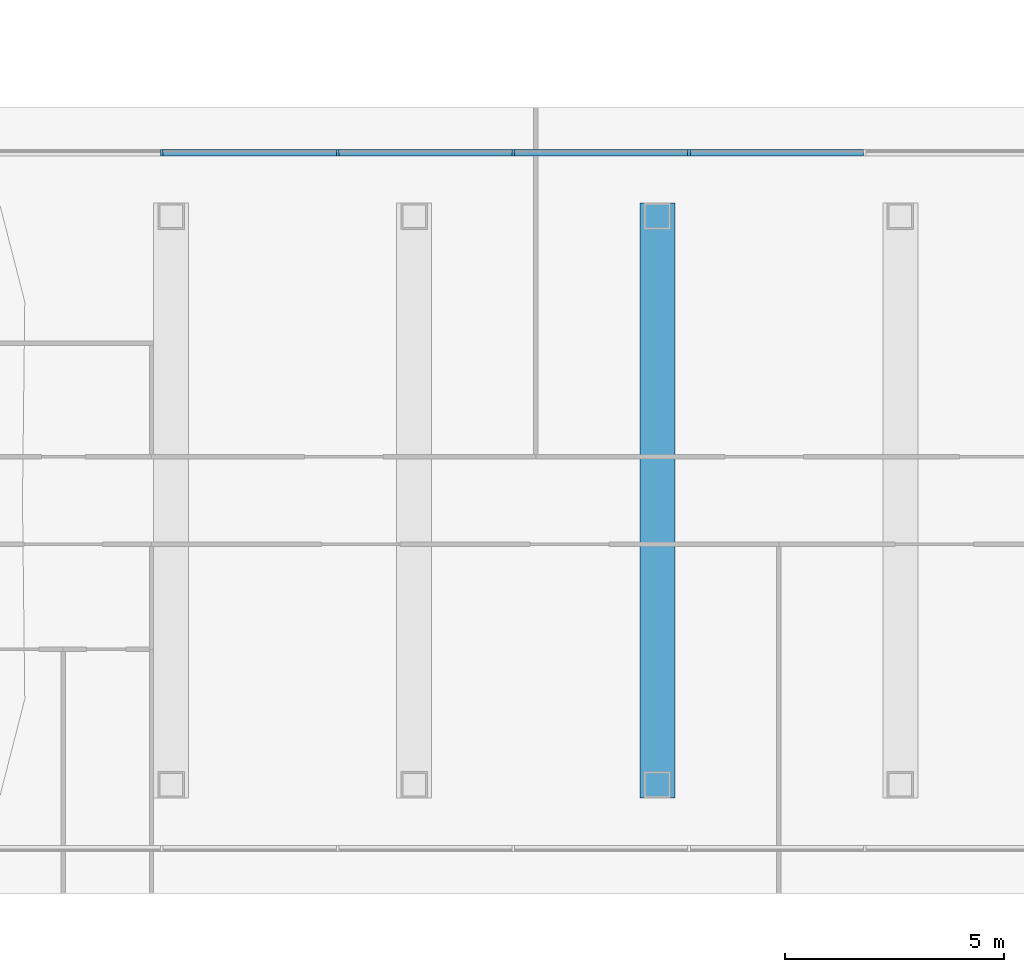
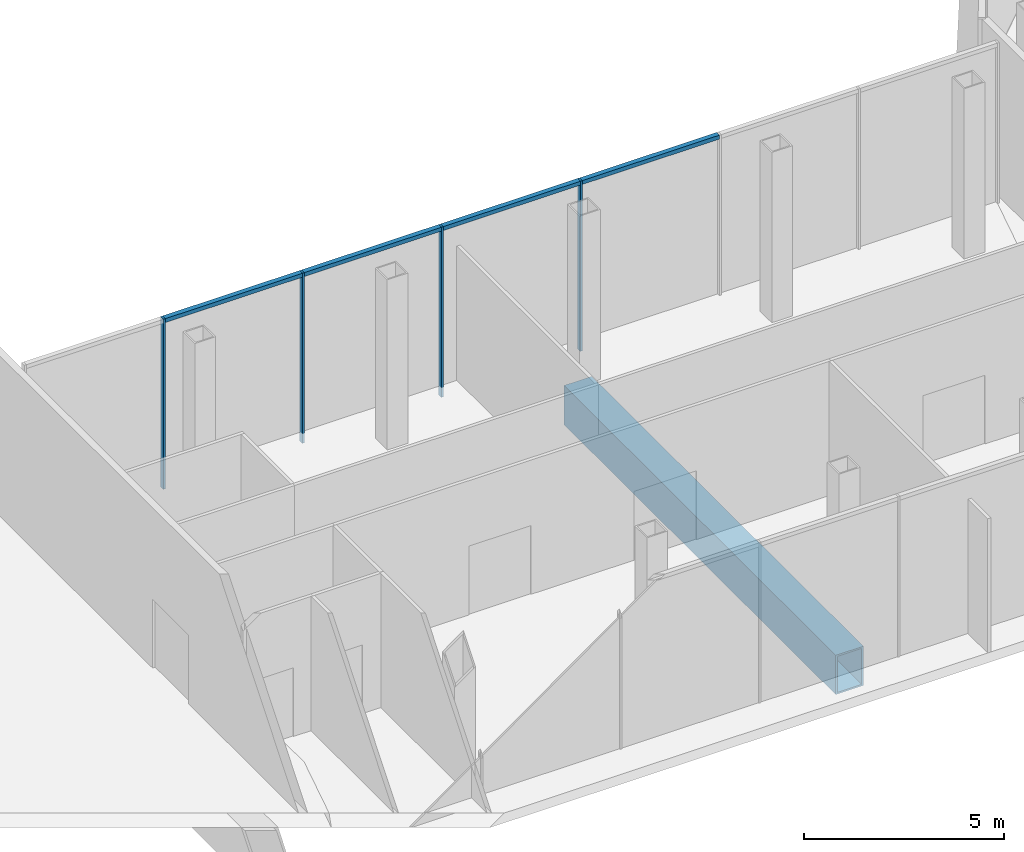
# One storey, part 8 of 28: 8 members, 1 beam, 1 element without a shape of its own.
"""IFC4 building model written with IfcOpenShell, lengths in metres."""

from ifc_helpers import new_model, si_unit, direction, frame, origin, origin_2d, place, context, subcontext, project, spatial, rectangle, hollow_rectangle, extrude, material, material_profile, profile_set, type_object, element, aggregate, save


model = new_model("IFC4")

# Units and contexts
model_context = context("Model", 3, precision=1e-05, world=origin(), true_north=direction((0.0, 1.0)))
body_context = subcontext(model_context, "Body", "Model", "MODEL_VIEW")
ifc_project = project(units=[si_unit("LENGTHUNIT", "METRE"), si_unit("AREAUNIT", "SQUARE_METRE"), si_unit("VOLUMEUNIT", "CUBIC_METRE"), si_unit("PLANEANGLEUNIT", "RADIAN"), si_unit("MASSUNIT", "GRAM", prefix="KILO")], contexts=[model_context])

# Site, building, storey
site_placement = place(None, origin())
site = spatial("IfcSite", under=ifc_project, at=site_placement, CompositionType="ELEMENT")
building_placement = place(site_placement, origin())
building = spatial("IfcBuilding", under=site, at=building_placement, Name="Ogive Gate Towers", CompositionType="ELEMENT")
storey_placement = place(building_placement, frame((0.0, 0.0, 135.60009765625)))
storey = spatial("IfcBuildingStorey", under=building, at=storey_placement, Name="L32", CompositionType="ELEMENT", Elevation=135.60009765625)

# Beam
ifc_material_1 = material(Name="Steel SM460", Category="steel")
ifc_material_profile_1 = material_profile(ifc_material_1, hollow_rectangle(XDim=0.800048828125, YDim=1.199951171875, WallThickness=0.050048828125, at=origin_2d()), Name="BX 1200x800x50")
ifc_profile_set_1 = profile_set([ifc_material_profile_1], Name="Steel SM460")
beam_type = type_object("IfcBeamType", Name="Block transfer beam BX 1200x800x50", PredefinedType="BEAM", material=ifc_profile_set_1)
beam_placement = place(storey_placement, frame((1.282470703125, -6.800048828125, -0.900146484375), z_axis=(0.0, 1.0, 0.0), x_axis=(-1.0, 0.0, 0.0)))
element("IfcBeam", 1, at=beam_placement, inside=storey, type_object=beam_type, Name="BR/L32/SBM003", PredefinedType="BEAM", context=body_context, shape_type="SweptSolid", body=[
    extrude(hollow_rectangle(XDim=0.800048828125, YDim=1.199951171875, WallThickness=0.050048828125, at=origin_2d()), origin(), (0.0, 0.0, 1.0), 13.60009765625),
])

# Curtain wall, members
ifc_material_2 = material(Name="Pale metal aluminium", Category="aluminium")
curtain_wall_type = type_object("IfcCurtainWallType", Name="Gate block facade", PredefinedType="NOTDEFINED", material=ifc_material_2)
curtain_wall_placement = place(storey_placement, origin())
curtain_wall = element("IfcCurtainWall", 2, at=curtain_wall_placement, inside=storey, type_object=curtain_wall_type, Name="CW3 BR ECW02", PredefinedType="NOTDEFINED")
ifc_material_profile_2 = material_profile(ifc_material_2, rectangle(XDim=0.139892578125, YDim=0.06005859375, at=origin_2d()), Name="60 x 140 aluminium box")
ifc_profile_set_2 = profile_set([ifc_material_profile_2], Name="Pale metal aluminium")
member_type_1 = type_object("IfcMemberType", Name="Gate block facade mullion 60 x 140", PredefinedType="MULLION", material=ifc_profile_set_2)
member_1_placement = place(storey_placement, frame((2.008544921875, 7.95166015625, -0.300048828125), z_axis=(0.0, 0.0, 1.0), x_axis=(0.0, 1.0, 0.0)))
member_1 = element("IfcMember", 3, at=member_1_placement, type_object=member_type_1, Name="CW3 mullion", PredefinedType="MULLION", context=body_context, shape_type="SweptSolid", body=[
    extrude(rectangle(XDim=0.139892578125, YDim=0.06005859375, at=origin_2d()), origin(), (0.0, 0.0, 1.0), 5.199951171875),
])
member_2_placement = place(storey_placement, frame((-2.008544921875, 7.95166015625, -0.300048828125), z_axis=(0.0, 0.0, 1.0), x_axis=(0.0, 1.0, 0.0)))
member_2 = element("IfcMember", 4, at=member_2_placement, type_object=member_type_1, Name="CW3 mullion", PredefinedType="MULLION", context=body_context, shape_type="SweptSolid", body=[
    extrude(rectangle(XDim=0.139892578125, YDim=0.06005859375, at=origin_2d()), origin(), (0.0, 0.0, 1.0), 5.199951171875),
])
member_3_placement = place(storey_placement, frame((-6.025634765625, 7.95166015625, -0.300048828125), z_axis=(0.0, 0.0, 1.0), x_axis=(0.0, 1.0, 0.0)))
member_3 = element("IfcMember", 5, at=member_3_placement, type_object=member_type_1, Name="CW3 mullion", PredefinedType="MULLION", context=body_context, shape_type="SweptSolid", body=[
    extrude(rectangle(XDim=0.139892578125, YDim=0.06005859375, at=origin_2d()), origin(), (0.0, 0.0, 1.0), 5.199951171875),
])
member_4_placement = place(storey_placement, frame((-10.04296875, 7.95166015625, -0.300048828125), z_axis=(0.0, 0.0, 1.0), x_axis=(0.0, 1.0, 0.0)))
member_4 = element("IfcMember", 6, at=member_4_placement, type_object=member_type_1, Name="CW3 mullion", PredefinedType="MULLION", context=body_context, shape_type="SweptSolid", body=[
    extrude(rectangle(XDim=0.139892578125, YDim=0.06005859375, at=origin_2d()), origin(), (0.0, 0.0, 1.0), 5.199951171875),
])
ifc_material_profile_3 = material_profile(ifc_material_2, rectangle(XDim=0.139892578125, YDim=0.1201171875, at=origin_2d()), Name="120 x 140 aluminium box")
ifc_profile_set_3 = profile_set([ifc_material_profile_3], Name="Pale metal aluminium")
member_type_2 = type_object("IfcMemberType", Name="Gate block facade transom 120 x 140", PredefinedType="USERDEFINED", material=ifc_profile_set_3)
member_5_placement = place(storey_placement, frame((5.99560546875, 7.95166015625, 4.83984375), z_axis=(-1.0, 0.0, 0.0), x_axis=(0.0, -1.0, 0.0)))
member_5 = element("IfcMember", 7, at=member_5_placement, type_object=member_type_2, Name="CW3 transom", ObjectType="TRANSOM", PredefinedType="USERDEFINED", context=body_context, shape_type="SweptSolid", body=[
    extrude(rectangle(XDim=0.139892578125, YDim=0.1201171875, at=origin_2d()), origin(), (0.0, 0.0, 1.0), 3.95703125),
])
member_6_placement = place(storey_placement, frame((1.978515625, 7.95166015625, 4.83984375), z_axis=(-1.0, 0.0, 0.0), x_axis=(0.0, -1.0, 0.0)))
member_6 = element("IfcMember", 8, at=member_6_placement, type_object=member_type_2, Name="CW3 transom", ObjectType="TRANSOM", PredefinedType="USERDEFINED", context=body_context, shape_type="SweptSolid", body=[
    extrude(rectangle(XDim=0.139892578125, YDim=0.1201171875, at=origin_2d()), origin(), (0.0, 0.0, 1.0), 3.95703125),
])
member_7_placement = place(storey_placement, frame((-2.03857421875, 7.95166015625, 4.83984375), z_axis=(-1.0, 0.0, 0.0), x_axis=(0.0, -1.0, 0.0)))
member_7 = element("IfcMember", 9, at=member_7_placement, type_object=member_type_2, Name="CW3 transom", ObjectType="TRANSOM", PredefinedType="USERDEFINED", context=body_context, shape_type="SweptSolid", body=[
    extrude(rectangle(XDim=0.139892578125, YDim=0.1201171875, at=origin_2d()), origin(), (0.0, 0.0, 1.0), 3.95703125),
])
member_8_placement = place(storey_placement, frame((-6.0556640625, 7.95166015625, 4.83984375), z_axis=(-1.0, 0.0, 0.0), x_axis=(0.0, -1.0, 0.0)))
member_8 = element("IfcMember", 10, at=member_8_placement, type_object=member_type_2, Name="CW3 transom", ObjectType="TRANSOM", PredefinedType="USERDEFINED", context=body_context, shape_type="SweptSolid", body=[
    extrude(rectangle(XDim=0.139892578125, YDim=0.1201171875, at=origin_2d()), origin(), (0.0, 0.0, 1.0), 3.957275390625),
])
aggregate(curtain_wall, [member_1, member_5, member_2, member_6, member_3, member_7, member_4, member_8])

save(model, "model.ifc")
